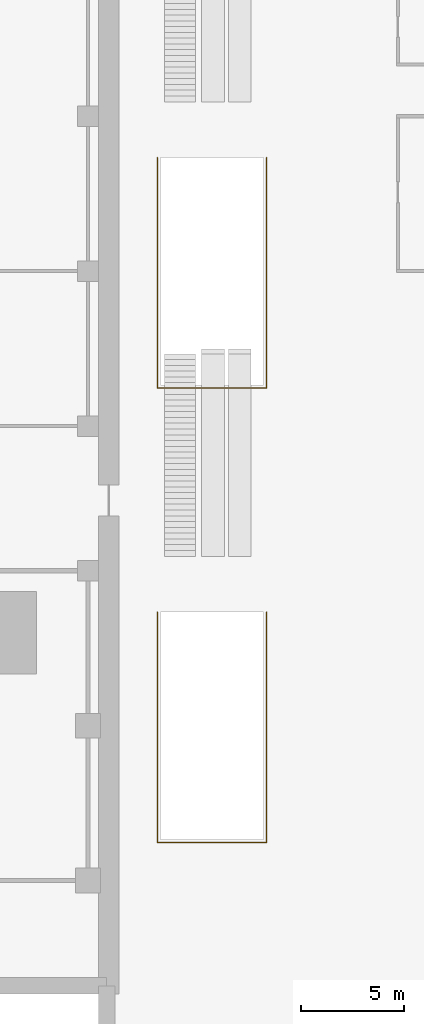
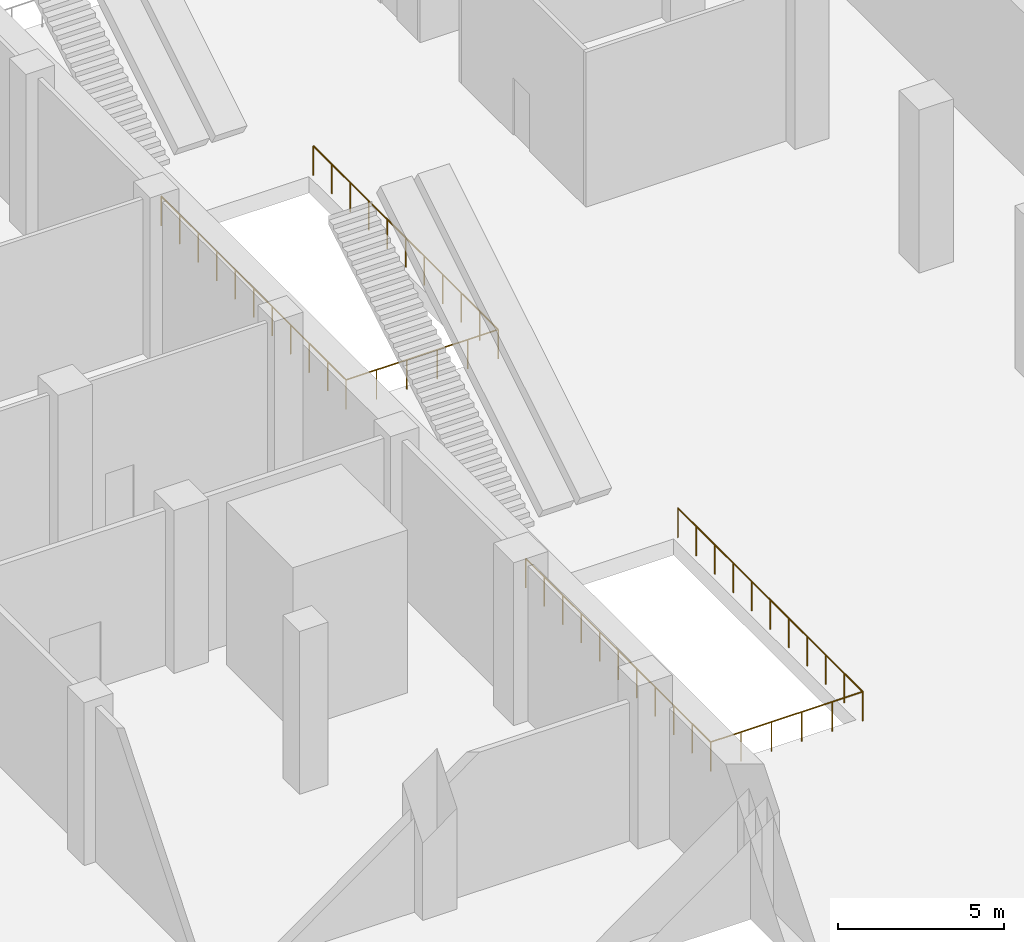
# One storey, part 31 of 45: 2 railings.
"""IFC4 building model written with IfcOpenShell, lengths in metres."""

from ifc_helpers import new_model, si_unit, direction, frame, origin, origin_2d, place, context, subcontext, project, spatial, circle, extrude, material, type_object, element, save


model = new_model("IFC4")

# Units and contexts
model_context = context("Model", 3, precision=1e-05, world=origin(), true_north=direction((0.0, 1.0)))
body_context = subcontext(model_context, "Body", "Model", "MODEL_VIEW")
ifc_project = project(units=[si_unit("LENGTHUNIT", "METRE"), si_unit("AREAUNIT", "SQUARE_METRE"), si_unit("VOLUMEUNIT", "CUBIC_METRE"), si_unit("PLANEANGLEUNIT", "RADIAN"), si_unit("MASSUNIT", "GRAM", prefix="KILO")], contexts=[model_context])

# Site, building, storey
site_placement = place(None, origin())
site = spatial("IfcSite", under=ifc_project, at=site_placement, CompositionType="ELEMENT")
building_placement = place(site_placement, origin())
building = spatial("IfcBuilding", under=site, at=building_placement, Name="Tamorin Gate", CompositionType="ELEMENT")
storey_placement = place(building_placement, frame((0.0, 0.0, -6.0)))
storey = spatial("IfcBuildingStorey", under=building, at=storey_placement, Name="B1", CompositionType="ELEMENT", Elevation=-6.0)

# Railings
ifc_material = material(Name="Steel", Category="steel")
railing_type = type_object("IfcRailingType", Name="Station barrier 1100", PredefinedType="GUARDRAIL", material=ifc_material)
railing_1_placement = place(storey_placement, frame((92.85009765625, 43.5, 0.0)))
element("IfcRailing", 1, at=railing_1_placement, inside=storey, type_object=railing_type, Name="Station void barrier", PredefinedType="GUARDRAIL", context=body_context, shape_type="SweptSolid", body=[
    extrude(circle(Radius=0.02392578125, at=origin_2d()), frame((0.0, 0.0, 1.076171875), z_axis=(0.0, -1.0, 0.0), x_axis=(1.0, 0.0, 0.0)), (0.0, 0.0, 1.0), 11.14990234375),
    extrude(circle(Radius=0.02392578125, at=origin_2d()), frame((0.0, -11.14990234375, 1.076171875), z_axis=(1.0, 0.0, 0.0), x_axis=(0.0, 1.0, 0.0)), (0.0, 0.0, 1.0), 5.2998046875),
    extrude(circle(Radius=0.02392578125, at=origin_2d()), frame((5.2998046875, -11.14990234375, 1.076171875), z_axis=(0.0, 1.0, 0.0), x_axis=(-1.0, 0.0, 0.0)), (0.0, 0.0, 1.0), 11.14990234375),
    extrude(circle(Radius=0.02099609375, at=origin_2d()), origin(), (0.0, 0.0, 1.0), 1.052001953125),
    extrude(circle(Radius=0.02099609375, at=origin_2d()), frame((0.0, -1.114990234375, 0.0)), (0.0, 0.0, 1.0), 1.052001953125),
    extrude(circle(Radius=0.02099609375, at=origin_2d()), frame((0.0, -2.22998046875, 0.0)), (0.0, 0.0, 1.0), 1.052001953125),
    extrude(circle(Radius=0.02099609375, at=origin_2d()), frame((0.0, -3.344970703125, 0.0)), (0.0, 0.0, 1.0), 1.052001953125),
    extrude(circle(Radius=0.02099609375, at=origin_2d()), frame((0.0, -4.4599609375, 0.0)), (0.0, 0.0, 1.0), 1.052001953125),
    extrude(circle(Radius=0.02099609375, at=origin_2d()), frame((0.0, -5.574951171875, 0.0)), (0.0, 0.0, 1.0), 1.052001953125),
    extrude(circle(Radius=0.02099609375, at=origin_2d()), frame((0.0, -6.68994140625, 0.0)), (0.0, 0.0, 1.0), 1.052001953125),
    extrude(circle(Radius=0.02099609375, at=origin_2d()), frame((0.0, -7.804931640625, 0.0)), (0.0, 0.0, 1.0), 1.052001953125),
    extrude(circle(Radius=0.02099609375, at=origin_2d()), frame((0.0, -8.919921875, 0.0)), (0.0, 0.0, 1.0), 1.052001953125),
    extrude(circle(Radius=0.02099609375, at=origin_2d()), frame((0.0, -10.034912109375, 0.0)), (0.0, 0.0, 1.0), 1.052001953125),
    extrude(circle(Radius=0.02099609375, at=origin_2d()), frame((0.0, -11.14990234375, 0.0)), (0.0, 0.0, 1.0), 1.052001953125),
    extrude(circle(Radius=0.02099609375, at=origin_2d()), frame((1.06005859375, -11.14990234375, 0.0)), (0.0, 0.0, 1.0), 1.052001953125),
    extrude(circle(Radius=0.02099609375, at=origin_2d()), frame((2.119873046875, -11.14990234375, 0.0)), (0.0, 0.0, 1.0), 1.052001953125),
    extrude(circle(Radius=0.02099609375, at=origin_2d()), frame((3.179931640625, -11.14990234375, 0.0)), (0.0, 0.0, 1.0), 1.052001953125),
    extrude(circle(Radius=0.02099609375, at=origin_2d()), frame((4.23974609375, -11.14990234375, 0.0)), (0.0, 0.0, 1.0), 1.052001953125),
    extrude(circle(Radius=0.02099609375, at=origin_2d()), frame((5.2998046875, -11.14990234375, 0.0)), (0.0, 0.0, 1.0), 1.052001953125),
    extrude(circle(Radius=0.02099609375, at=origin_2d()), frame((5.2998046875, -10.034912109375, 0.0)), (0.0, 0.0, 1.0), 1.052001953125),
    extrude(circle(Radius=0.02099609375, at=origin_2d()), frame((5.2998046875, -8.919921875, 0.0)), (0.0, 0.0, 1.0), 1.052001953125),
    extrude(circle(Radius=0.02099609375, at=origin_2d()), frame((5.2998046875, -7.804931640625, 0.0)), (0.0, 0.0, 1.0), 1.052001953125),
    extrude(circle(Radius=0.02099609375, at=origin_2d()), frame((5.2998046875, -6.68994140625, 0.0)), (0.0, 0.0, 1.0), 1.052001953125),
    extrude(circle(Radius=0.02099609375, at=origin_2d()), frame((5.2998046875, -5.574951171875, 0.0)), (0.0, 0.0, 1.0), 1.052001953125),
    extrude(circle(Radius=0.02099609375, at=origin_2d()), frame((5.2998046875, -4.4599609375, 0.0)), (0.0, 0.0, 1.0), 1.052001953125),
    extrude(circle(Radius=0.02099609375, at=origin_2d()), frame((5.2998046875, -3.344970703125, 0.0)), (0.0, 0.0, 1.0), 1.052001953125),
    extrude(circle(Radius=0.02099609375, at=origin_2d()), frame((5.2998046875, -2.22998046875, 0.0)), (0.0, 0.0, 1.0), 1.052001953125),
    extrude(circle(Radius=0.02099609375, at=origin_2d()), frame((5.2998046875, -1.114990234375, 0.0)), (0.0, 0.0, 1.0), 1.052001953125),
    extrude(circle(Radius=0.02099609375, at=origin_2d()), frame((5.2998046875, 0.0, 0.0)), (0.0, 0.0, 1.0), 1.052001953125),
])
railing_2_placement = place(storey_placement, frame((92.85009765625, 65.5, 0.0)))
element("IfcRailing", 2, at=railing_2_placement, inside=storey, type_object=railing_type, Name="Station void barrier", PredefinedType="GUARDRAIL", context=body_context, shape_type="SweptSolid", body=[
    extrude(circle(Radius=0.02392578125, at=origin_2d()), frame((0.0, 0.0, 1.076171875), z_axis=(0.0, -1.0, 0.0), x_axis=(1.0, 0.0, 0.0)), (0.0, 0.0, 1.0), 11.14990234375),
    extrude(circle(Radius=0.02392578125, at=origin_2d()), frame((0.0, -11.14990234375, 1.076171875), z_axis=(1.0, 0.0, 0.0), x_axis=(0.0, 1.0, 0.0)), (0.0, 0.0, 1.0), 5.2998046875),
    extrude(circle(Radius=0.02392578125, at=origin_2d()), frame((5.2998046875, -11.14990234375, 1.076171875), z_axis=(0.0, 1.0, 0.0), x_axis=(-1.0, 0.0, 0.0)), (0.0, 0.0, 1.0), 11.14990234375),
    extrude(circle(Radius=0.02099609375, at=origin_2d()), origin(), (0.0, 0.0, 1.0), 1.052001953125),
    extrude(circle(Radius=0.02099609375, at=origin_2d()), frame((0.0, -1.114990234375, 0.0)), (0.0, 0.0, 1.0), 1.052001953125),
    extrude(circle(Radius=0.02099609375, at=origin_2d()), frame((0.0, -2.22998046875, 0.0)), (0.0, 0.0, 1.0), 1.052001953125),
    extrude(circle(Radius=0.02099609375, at=origin_2d()), frame((0.0, -3.344970703125, 0.0)), (0.0, 0.0, 1.0), 1.052001953125),
    extrude(circle(Radius=0.02099609375, at=origin_2d()), frame((0.0, -4.4599609375, 0.0)), (0.0, 0.0, 1.0), 1.052001953125),
    extrude(circle(Radius=0.02099609375, at=origin_2d()), frame((0.0, -5.574951171875, 0.0)), (0.0, 0.0, 1.0), 1.052001953125),
    extrude(circle(Radius=0.02099609375, at=origin_2d()), frame((0.0, -6.68994140625, 0.0)), (0.0, 0.0, 1.0), 1.052001953125),
    extrude(circle(Radius=0.02099609375, at=origin_2d()), frame((0.0, -7.804931640625, 0.0)), (0.0, 0.0, 1.0), 1.052001953125),
    extrude(circle(Radius=0.02099609375, at=origin_2d()), frame((0.0, -8.919921875, 0.0)), (0.0, 0.0, 1.0), 1.052001953125),
    extrude(circle(Radius=0.02099609375, at=origin_2d()), frame((0.0, -10.034912109375, 0.0)), (0.0, 0.0, 1.0), 1.052001953125),
    extrude(circle(Radius=0.02099609375, at=origin_2d()), frame((0.0, -11.14990234375, 0.0)), (0.0, 0.0, 1.0), 1.052001953125),
    extrude(circle(Radius=0.02099609375, at=origin_2d()), frame((1.06005859375, -11.14990234375, 0.0)), (0.0, 0.0, 1.0), 1.052001953125),
    extrude(circle(Radius=0.02099609375, at=origin_2d()), frame((2.119873046875, -11.14990234375, 0.0)), (0.0, 0.0, 1.0), 1.052001953125),
    extrude(circle(Radius=0.02099609375, at=origin_2d()), frame((3.179931640625, -11.14990234375, 0.0)), (0.0, 0.0, 1.0), 1.052001953125),
    extrude(circle(Radius=0.02099609375, at=origin_2d()), frame((4.23974609375, -11.14990234375, 0.0)), (0.0, 0.0, 1.0), 1.052001953125),
    extrude(circle(Radius=0.02099609375, at=origin_2d()), frame((5.2998046875, -11.14990234375, 0.0)), (0.0, 0.0, 1.0), 1.052001953125),
    extrude(circle(Radius=0.02099609375, at=origin_2d()), frame((5.2998046875, -10.034912109375, 0.0)), (0.0, 0.0, 1.0), 1.052001953125),
    extrude(circle(Radius=0.02099609375, at=origin_2d()), frame((5.2998046875, -8.919921875, 0.0)), (0.0, 0.0, 1.0), 1.052001953125),
    extrude(circle(Radius=0.02099609375, at=origin_2d()), frame((5.2998046875, -7.804931640625, 0.0)), (0.0, 0.0, 1.0), 1.052001953125),
    extrude(circle(Radius=0.02099609375, at=origin_2d()), frame((5.2998046875, -6.68994140625, 0.0)), (0.0, 0.0, 1.0), 1.052001953125),
    extrude(circle(Radius=0.02099609375, at=origin_2d()), frame((5.2998046875, -5.574951171875, 0.0)), (0.0, 0.0, 1.0), 1.052001953125),
    extrude(circle(Radius=0.02099609375, at=origin_2d()), frame((5.2998046875, -4.4599609375, 0.0)), (0.0, 0.0, 1.0), 1.052001953125),
    extrude(circle(Radius=0.02099609375, at=origin_2d()), frame((5.2998046875, -3.344970703125, 0.0)), (0.0, 0.0, 1.0), 1.052001953125),
    extrude(circle(Radius=0.02099609375, at=origin_2d()), frame((5.2998046875, -2.22998046875, 0.0)), (0.0, 0.0, 1.0), 1.052001953125),
    extrude(circle(Radius=0.02099609375, at=origin_2d()), frame((5.2998046875, -1.114990234375, 0.0)), (0.0, 0.0, 1.0), 1.052001953125),
    extrude(circle(Radius=0.02099609375, at=origin_2d()), frame((5.2998046875, 0.0, 0.0)), (0.0, 0.0, 1.0), 1.052001953125),
])

save(model, "model.ifc")
